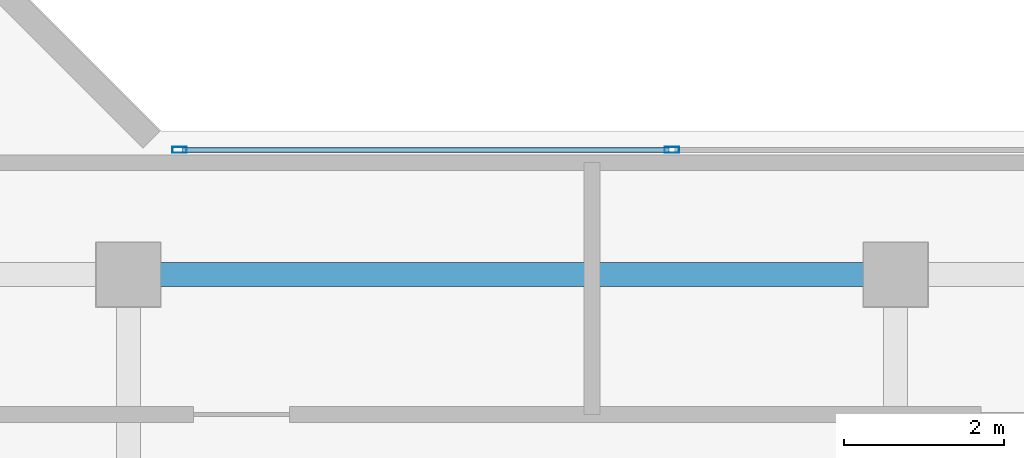
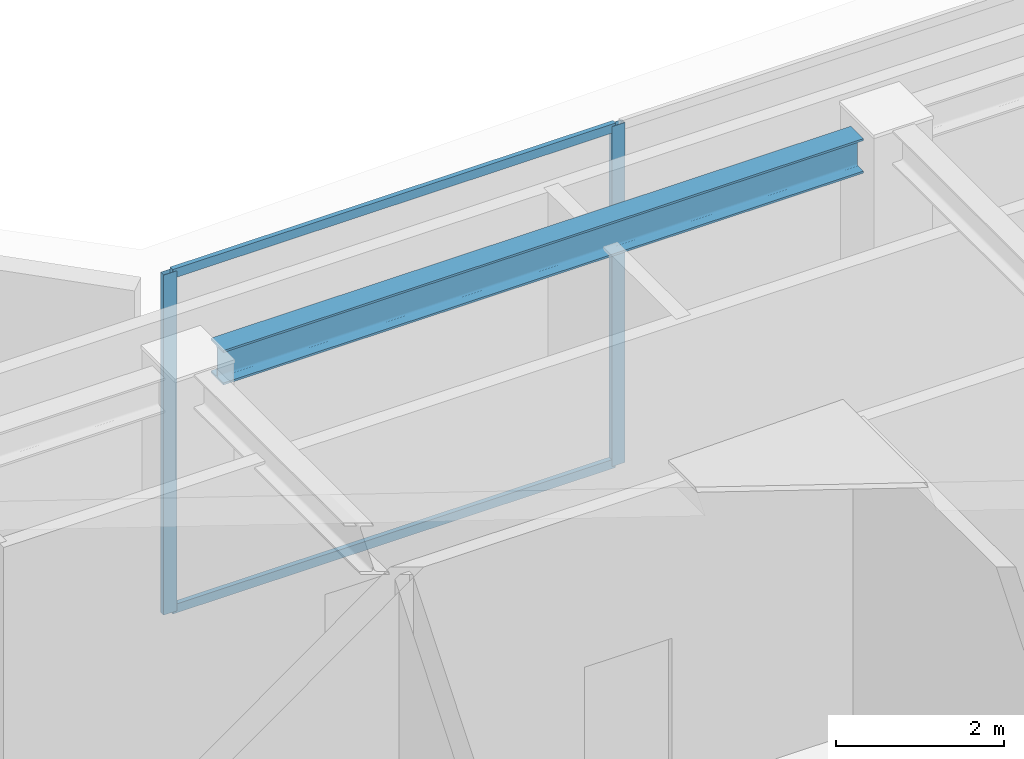
# One storey, part 8 of 22: 4 members, 1 beam, 1 element without a shape of its own.
"""IFC4 building model written with IfcOpenShell, lengths in metres."""

from ifc_helpers import new_model, si_unit, direction, frame, origin, origin_with_axes, origin_2d, place, context, subcontext, project, spatial, hollow_rectangle, i_section, extrude, source, transform, mapped, material, layer, layer_set, material_profile, profile_set, type_object, element, aggregate, save


model = new_model("IFC4")

# Units and contexts
model_context = context("Model", 3, precision=1e-05, world=origin(), true_north=direction((0.0, 1.0)))
body_context = subcontext(model_context, "Body", "Model", "MODEL_VIEW")
ifc_project = project(units=[si_unit("LENGTHUNIT", "METRE"), si_unit("AREAUNIT", "SQUARE_METRE"), si_unit("VOLUMEUNIT", "CUBIC_METRE"), si_unit("PLANEANGLEUNIT", "RADIAN"), si_unit("MASSUNIT", "GRAM", prefix="KILO")], contexts=[model_context])

# Site, building, storey
site_placement = place(None, origin())
site = spatial("IfcSite", under=ifc_project, at=site_placement, CompositionType="ELEMENT")
building_placement = place(site_placement, origin())
building = spatial("IfcBuilding", under=site, at=building_placement, Name="Kolvaren Waterfront Exchange", CompositionType="ELEMENT")
storey_placement = place(building_placement, frame((0.0, 0.0, 360.39990234375)))
storey = spatial("IfcBuildingStorey", under=building, at=storey_placement, Name="RF", CompositionType="ELEMENT", Elevation=360.39990234375)

# Beam
ifc_material_1 = material(Name="Steel S355", Category="steel")
ifc_material_profile_1 = material_profile(ifc_material_1, i_section(OverallWidth=0.300048828125, OverallDepth=0.5, WebThickness=0.014404296875, FlangeThickness=0.028076171875, FilletRadius=0.027099609375, at=origin_2d()), Name="HEB500")
ifc_profile_set_1 = profile_set([ifc_material_profile_1], Name="Steel S355")
beam_type = type_object("IfcBeamType", Name="STR-BM-HEB500", PredefinedType="BEAM", material=ifc_profile_set_1)
beam_placement = place(storey_placement, frame((27.60205078125, 17.39990234375, 4.65966796875), z_axis=(1.0, 0.0, 0.0), x_axis=(0.0, 1.0, 0.0)))
element("IfcBeam", 1, at=beam_placement, inside=storey, type_object=beam_type, Name="RF crown roof girder 10", PredefinedType="SPANDREL", context=body_context, shape_type="SweptSolid", body=[
    extrude(i_section(OverallWidth=0.300048828125, OverallDepth=0.5, WebThickness=0.014404296875, FlangeThickness=0.028076171875, FilletRadius=0.027099609375, at=origin_2d()), origin(), (0.0, 0.0, 1.0), 8.7958984375),
])

# Curtain wall, members
ifc_material_2 = material(Name="Anodised bronze aluminium 6063-T6", Category="aluminium")
ifc_layer = layer(ifc_material_2, 0.219970703125, Name="Anodised bronze aluminium 6063-T6")
ifc_layer_set = layer_set([ifc_layer], Name="Anodised bronze aluminium 6063-T6")
curtain_wall_type = type_object("IfcCurtainWallType", Name="ARC-CW-SYS5", PredefinedType="USERDEFINED", material=ifc_layer_set)
curtain_wall_placement = place(storey_placement, origin())
curtain_wall = element("IfcCurtainWall", 2, at=curtain_wall_placement, inside=storey, type_object=curtain_wall_type, Name="RF stick curtain wall CW5 (CW-RF-EN)", ObjectType="STICK CURTAIN WALL", PredefinedType="USERDEFINED")
ifc_material_profile_2 = material_profile(ifc_material_2, hollow_rectangle(XDim=0.06494140625, YDim=0.1298828125, WallThickness=0.00390625, at=origin_2d()), Name="ALU-TRN-130x65x4")
ifc_profile_set_2 = profile_set([ifc_material_profile_2], Name="Anodised bronze aluminium 6063-T6")
member_type_1 = type_object("IfcMemberType", Name="ARC-CWT-130", PredefinedType="USERDEFINED", material=ifc_profile_set_2)
shared_shape_1 = source(origin_with_axes(), body_context, "Body", "SweptSolid", [
    extrude(hollow_rectangle(XDim=0.06494140625, YDim=0.1298828125, WallThickness=0.00390625, at=origin_2d()), origin(), (0.0, 0.0, 1.0), 6.08740234375),
])
member_1_placement = place(storey_placement, frame((27.875, 18.9599609375, 0.03271484375), z_axis=(1.0, 0.0, 0.0), x_axis=(0.0, 1.0, 0.0)))
member_1 = element("IfcMember", 3, at=member_1_placement, type_object=member_type_1, Name="CW5 transom 1.1", ObjectType="TRANSOM", PredefinedType="USERDEFINED", context=body_context, shape_type="MappedRepresentation", body=[
    mapped(shared_shape_1, transform((0.0, 0.0, 0.0), x_axis=(1.0, 0.0, 0.0), y_axis=(0.0, 1.0, 0.0), z_axis=(0.0, 0.0, 1.0), scale=1.0)),
])
member_2_placement = place(storey_placement, frame((27.875, 18.9599609375, 4.90869140625), z_axis=(1.0, 0.0, 0.0), x_axis=(0.0, 1.0, 0.0)))
member_2 = element("IfcMember", 4, at=member_2_placement, type_object=member_type_1, Name="CW5 transom 1.2", ObjectType="TRANSOM", PredefinedType="USERDEFINED", context=body_context, shape_type="MappedRepresentation", body=[
    mapped(shared_shape_1, transform((0.0, 0.0, 0.0), x_axis=(1.0, 0.0, 0.0), y_axis=(0.0, 1.0, 0.0), z_axis=(0.0, 0.0, 1.0), scale=1.0)),
])
ifc_material_profile_3 = material_profile(ifc_material_2, hollow_rectangle(XDim=0.074951171875, YDim=0.179931640625, WallThickness=0.00439453125, at=origin_2d()), Name="ALU-MUL-180x75x4.5")
ifc_profile_set_3 = profile_set([ifc_material_profile_3], Name="Anodised bronze aluminium 6063-T6")
member_type_2 = type_object("IfcMemberType", Name="ARC-CWM-180", PredefinedType="MULLION", material=ifc_profile_set_3)
shared_shape_2 = source(origin_with_axes(), body_context, "Body", "SweptSolid", [
    extrude(hollow_rectangle(XDim=0.074951171875, YDim=0.179931640625, WallThickness=0.00439453125, at=origin_2d()), origin(), (0.0, 0.0, 1.0), 4.941162109375),
])
member_3_placement = place(storey_placement, frame((27.83740234375, 18.9599609375, 0.0), z_axis=(0.0, 0.0, 1.0), x_axis=(0.0, 1.0, 0.0)))
member_3 = element("IfcMember", 5, at=member_3_placement, type_object=member_type_2, Name="CW5 mullion 1", PredefinedType="MULLION", context=body_context, shape_type="MappedRepresentation", body=[
    mapped(shared_shape_2, transform((0.0, 0.0, 0.0), x_axis=(1.0, 0.0, 0.0), y_axis=(0.0, 1.0, 0.0), z_axis=(0.0, 0.0, 1.0), scale=1.0)),
])
member_4_placement = place(storey_placement, frame((34.0, 18.9599609375, 0.0), z_axis=(0.0, 0.0, 1.0), x_axis=(0.0, 1.0, 0.0)))
member_4 = element("IfcMember", 6, at=member_4_placement, type_object=member_type_2, Name="CW5 mullion 2", PredefinedType="MULLION", context=body_context, shape_type="MappedRepresentation", body=[
    mapped(shared_shape_2, transform((0.0, 0.0, 0.0), x_axis=(1.0, 0.0, 0.0), y_axis=(0.0, 1.0, 0.0), z_axis=(0.0, 0.0, 1.0), scale=1.0)),
])
aggregate(curtain_wall, [member_3, member_4, member_1, member_2])

save(model, "model.ifc")
